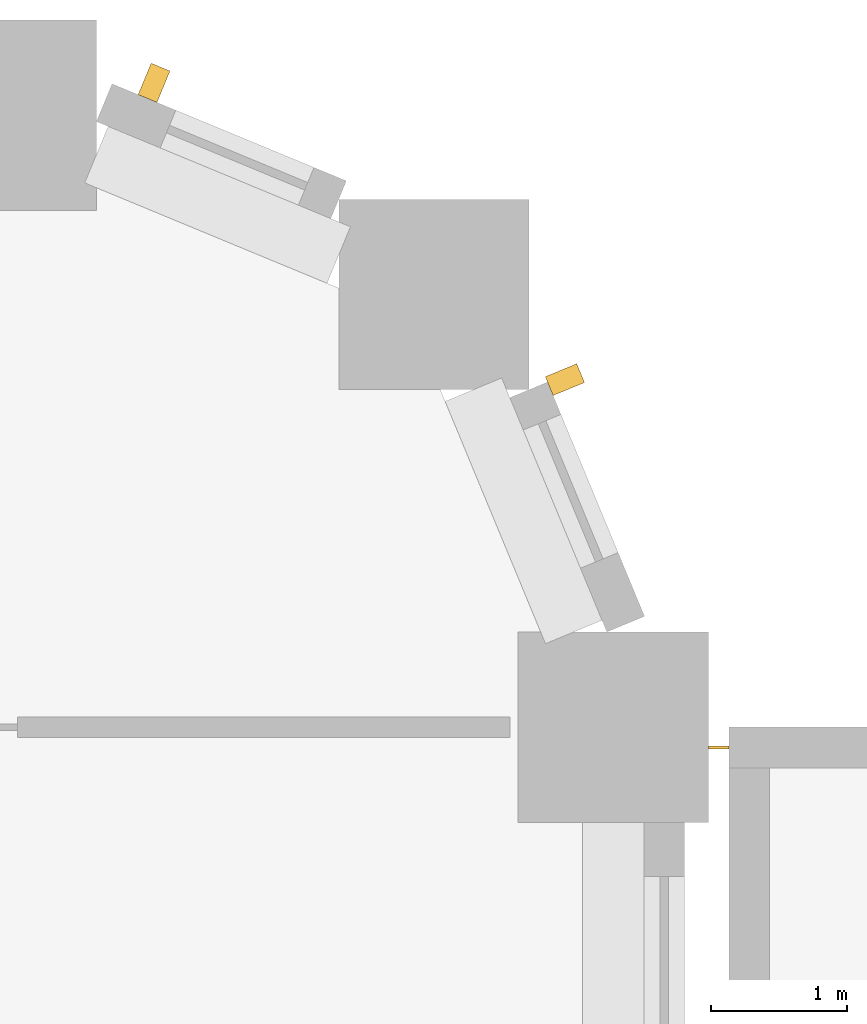
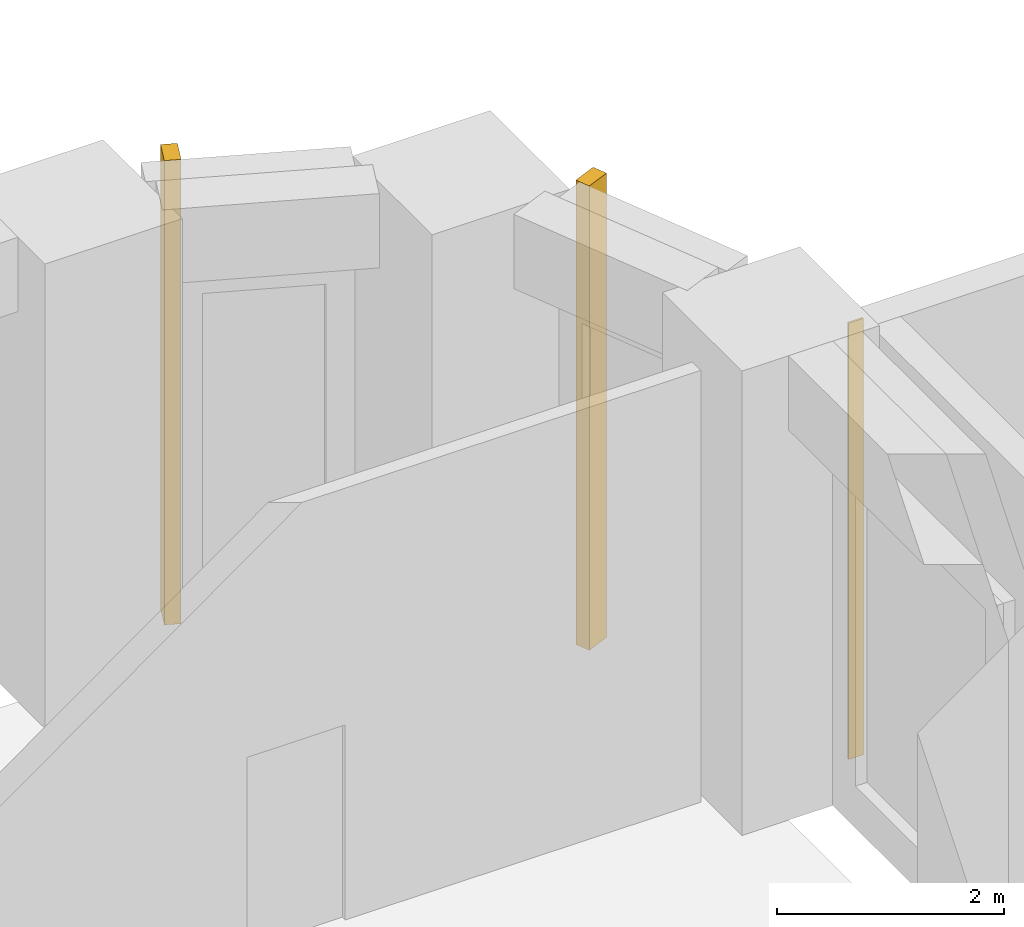
# One storey, part 16 of 19: 2 shading devices, 1 covering.
"""IFC4 building model written with IfcOpenShell, lengths in metres."""

from ifc_helpers import new_model, si_unit, direction, frame, origin, origin_2d, place, context, subcontext, project, spatial, rectangle, extrude, material, layer, layer_set, type_object, element, save


model = new_model("IFC4")

# Units and contexts
model_context = context("Model", 3, precision=1e-05, world=origin(), true_north=direction((0.0, 1.0)))
body_context = subcontext(model_context, "Body", "Model", "MODEL_VIEW")
ifc_project = project(units=[si_unit("LENGTHUNIT", "METRE"), si_unit("AREAUNIT", "SQUARE_METRE"), si_unit("VOLUMEUNIT", "CUBIC_METRE"), si_unit("PLANEANGLEUNIT", "RADIAN"), si_unit("MASSUNIT", "GRAM", prefix="KILO")], contexts=[model_context])

# Site, building, storey
site_placement = place(None, origin())
site = spatial("IfcSite", under=ifc_project, at=site_placement, CompositionType="ELEMENT")
building_placement = place(site_placement, origin())
building = spatial("IfcBuilding", under=site, at=building_placement, Name="Girih Gate Residences", CompositionType="ELEMENT")
storey_placement = place(building_placement, frame((0.0, 0.0, 21.0)))
storey = spatial("IfcBuildingStorey", under=building, at=storey_placement, Name="L04", CompositionType="ELEMENT", Elevation=21.0)

# Shading devices
ifc_material_1 = material(Name="Precast concrete C50/60", Category="concrete")
shading_device_type = type_object("IfcShadingDeviceType", Name="Corner rib 150x250", PredefinedType="USERDEFINED", material=ifc_material_1)
for number, where, z_axis, x_axis, name in (
    (1, (49.14501953125, 47.5556640625, 0.0), (0.0, 0.0, 1.0), (-0.382683432365, 0.923879532511, 0.0), "Corner rib NE0495_0450.0"),
    (2, (46.123779296875, 49.738037109375, 0.0), (0.0, 0.0, 1.0), (-0.923879532511, 0.382683432365, 0.0), "Corner rib NE0482_0482.0"),
):
    element("IfcShadingDevice", number, at=place(storey_placement, frame(where, z_axis=z_axis, x_axis=x_axis)), inside=storey, type_object=shading_device_type, Name=name, ObjectType="FIN", PredefinedType="USERDEFINED", context=body_context, shape_type="SweptSolid", body=[
        extrude(rectangle(XDim=0.14990234375, YDim=0.25, at=origin_2d()), origin(), (0.0, 0.0, 1.0), 5.0),
    ])

# Covering
ifc_material_2 = material(Name="Stainless steel cover plate", Category="steel")
ifc_layer = layer(ifc_material_2, 0.02001953125)
ifc_layer_set = layer_set([ifc_layer], Name="HC Movement joint cover plate")
covering_type = type_object("IfcCoveringType", Name="HC Movement joint cover plate", PredefinedType="CLADDING", material=ifc_layer_set)
covering_placement = place(storey_placement, frame((50.27490234375, 44.85009765625, 0.0), z_axis=(0.0, 0.0, 1.0), x_axis=(1.0, 0.0, 0.0)))
element("IfcCovering", 3, at=covering_placement, inside=storey, type_object=covering_type, Name="L04 joint between tower and health centre cover plate 2", PredefinedType="CLADDING", context=body_context, shape_type="SweptSolid", body=[
    extrude(rectangle(XDim=0.14990234375, YDim=0.02001953125, at=origin_2d()), origin(), (0.0, 0.0, 1.0), 4.699951171875),
])

save(model, "model.ifc")
